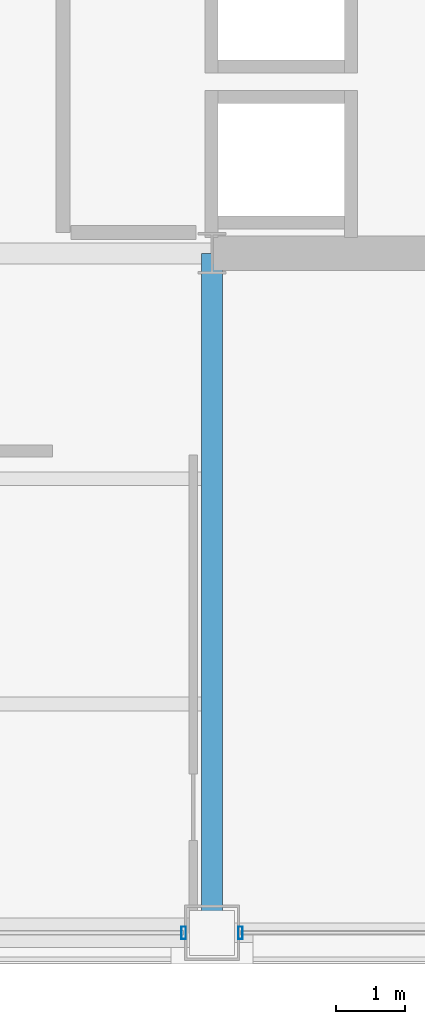
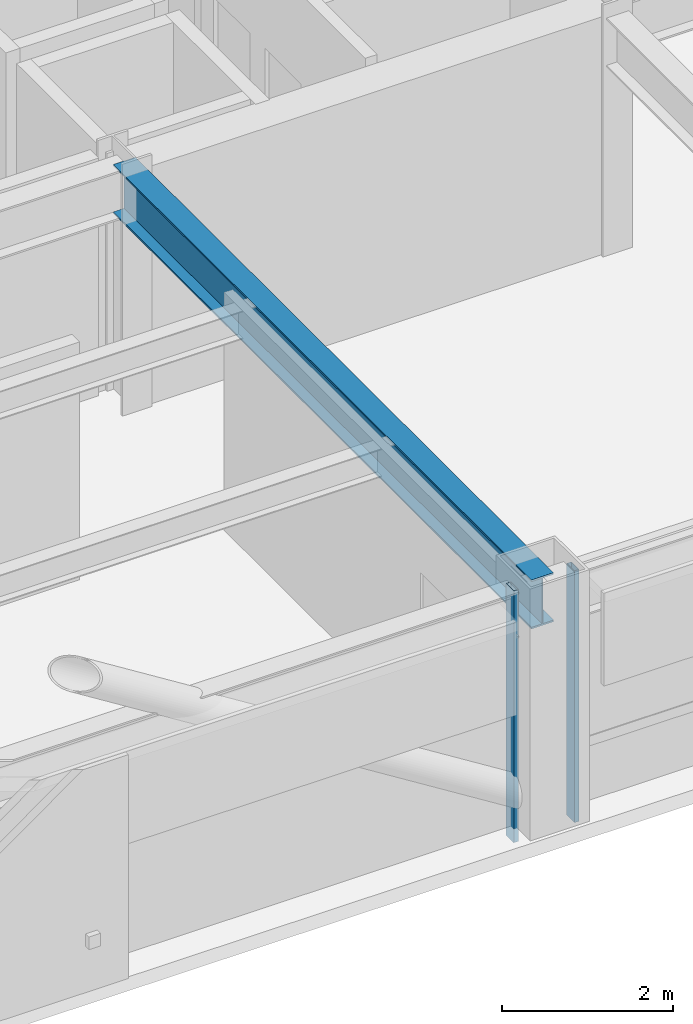
# One storey, part 7 of 35: 2 members, 1 beam, 2 elements without a shape of their own.
"""IFC4 building model written with IfcOpenShell, lengths in metres."""

from ifc_helpers import new_model, si_unit, direction, frame, origin, origin_2d, place, context, subcontext, project, spatial, hollow_rectangle, i_section, extrude, material, layer, layer_set, material_profile, profile_set, type_object, element, aggregate, save


model = new_model("IFC4")

# Units and contexts
model_context = context("Model", 3, precision=1e-05, world=origin(), true_north=direction((0.0, 1.0)))
body_context = subcontext(model_context, "Body", "Model", "MODEL_VIEW")
ifc_project = project(units=[si_unit("LENGTHUNIT", "METRE"), si_unit("AREAUNIT", "SQUARE_METRE"), si_unit("VOLUMEUNIT", "CUBIC_METRE"), si_unit("PLANEANGLEUNIT", "RADIAN"), si_unit("MASSUNIT", "GRAM", prefix="KILO")], contexts=[model_context])

# Site, building, storey
site_placement = place(None, origin())
site = spatial("IfcSite", under=ifc_project, at=site_placement, CompositionType="ELEMENT")
building_placement = place(site_placement, origin())
building = spatial("IfcBuilding", under=site, at=building_placement, Name="Brelmoor Portico Tower", CompositionType="ELEMENT")
storey_placement = place(building_placement, frame((0.0, 0.0, 131.39990234375)))
storey = spatial("IfcBuildingStorey", under=building, at=storey_placement, Name="L34", CompositionType="ELEMENT", Elevation=131.39990234375)

# Beam
ifc_material_1 = material(Name="Steel Q355B", Category="steel")
ifc_material_profile_1 = material_profile(ifc_material_1, i_section(OverallWidth=0.300048828125, OverallDepth=0.699951171875, WebThickness=0.012939453125, FlangeThickness=0.02392578125, at=origin_2d()), Name="HN 700x300x13x24")
ifc_profile_set_1 = profile_set([ifc_material_profile_1], Name="Steel Q355B")
beam_type = type_object("IfcBeamType", Name="BM-PG-700", PredefinedType="BEAM", material=ifc_profile_set_1)
beam_placement = place(storey_placement, frame((8.050048828125, -19.550048828125, 3.050048828125), z_axis=(0.0, 1.0, 0.0), x_axis=(-1.0, 0.0, 0.0)))
element("IfcBeam", 1, at=beam_placement, inside=storey, type_object=beam_type, Name="L34 Primary Floor Girder PG-08", PredefinedType="BEAM", context=body_context, shape_type="SweptSolid", body=[
    extrude(i_section(OverallWidth=0.300048828125, OverallDepth=0.699951171875, WebThickness=0.012939453125, FlangeThickness=0.02392578125, at=origin_2d()), origin(), (0.0, 0.0, 1.0), 9.800048828125),
])

# Curtain wall, member
ifc_material_2 = material(Name="Anodised Aluminium Alloy 6063-T6", Category="aluminium")
ifc_layer_1 = layer(ifc_material_2, 0.179931640625)
ifc_layer_set_1 = layer_set([ifc_layer_1], Name="Anodised Aluminium Alloy 6063-T6")
curtain_wall_type_1 = type_object("IfcCurtainWallType", Name="CW-TOWER-Z2-XB", PredefinedType="NOTDEFINED", material=ifc_layer_set_1)
curtain_wall_1_placement = place(storey_placement, origin())
curtain_wall_1 = element("IfcCurtainWall", 2, at=curtain_wall_1_placement, inside=storey, type_object=curtain_wall_type_1, Name="L34 Curtain Wall CW-L34-01-3", PredefinedType="NOTDEFINED")
ifc_material_profile_2 = material_profile(ifc_material_2, hollow_rectangle(XDim=0.06494140625, YDim=0.179931640625, WallThickness=0.00390625, at=origin_2d()), Name="ALU MULLION 65x180")
ifc_profile_set_2 = profile_set([ifc_material_profile_2], Name="Anodised Aluminium Alloy 6063-T6")
member_type = type_object("IfcMemberType", Name="MB-CW-MULL-180", PredefinedType="MULLION", material=ifc_profile_set_2)
member_1_placement = place(storey_placement, frame((7.639892578125, -19.550048828125, -0.199951171875), z_axis=(0.0, 0.0, 1.0), x_axis=(1.0, 0.0, 0.0)))
member_1 = element("IfcMember", 3, at=member_1_placement, type_object=member_type, Name="CW-L34-01-3 Mullion 01", PredefinedType="MULLION", context=body_context, shape_type="SweptSolid", body=[
    extrude(hollow_rectangle(XDim=0.06494140625, YDim=0.179931640625, WallThickness=0.00390625, at=origin_2d()), origin(), (0.0, 0.0, 1.0), 3.60009765625),
])
aggregate(curtain_wall_1, [member_1])

ifc_layer_2 = layer(ifc_material_2, 0.179931640625)
ifc_layer_set_2 = layer_set([ifc_layer_2], Name="Anodised Aluminium Alloy 6063-T6")
curtain_wall_type_2 = type_object("IfcCurtainWallType", Name="CW-TOWER-Z2", PredefinedType="NOTDEFINED", material=ifc_layer_set_2)
curtain_wall_2_placement = place(storey_placement, origin())
curtain_wall_2 = element("IfcCurtainWall", 4, at=curtain_wall_2_placement, inside=storey, type_object=curtain_wall_type_2, Name="L34 Curtain Wall CW-L34-01-4", PredefinedType="NOTDEFINED")
member_2_placement = place(storey_placement, frame((8.4599609375, -19.550048828125, -0.199951171875), z_axis=(0.0, 0.0, 1.0), x_axis=(1.0, 0.0, 0.0)))
member_2 = element("IfcMember", 5, at=member_2_placement, type_object=member_type, Name="CW-L34-01-4 Mullion 00", PredefinedType="MULLION", context=body_context, shape_type="SweptSolid", body=[
    extrude(hollow_rectangle(XDim=0.06494140625, YDim=0.179931640625, WallThickness=0.00390625, at=origin_2d()), origin(), (0.0, 0.0, 1.0), 3.60009765625),
])
aggregate(curtain_wall_2, [member_2])

save(model, "model.ifc")
